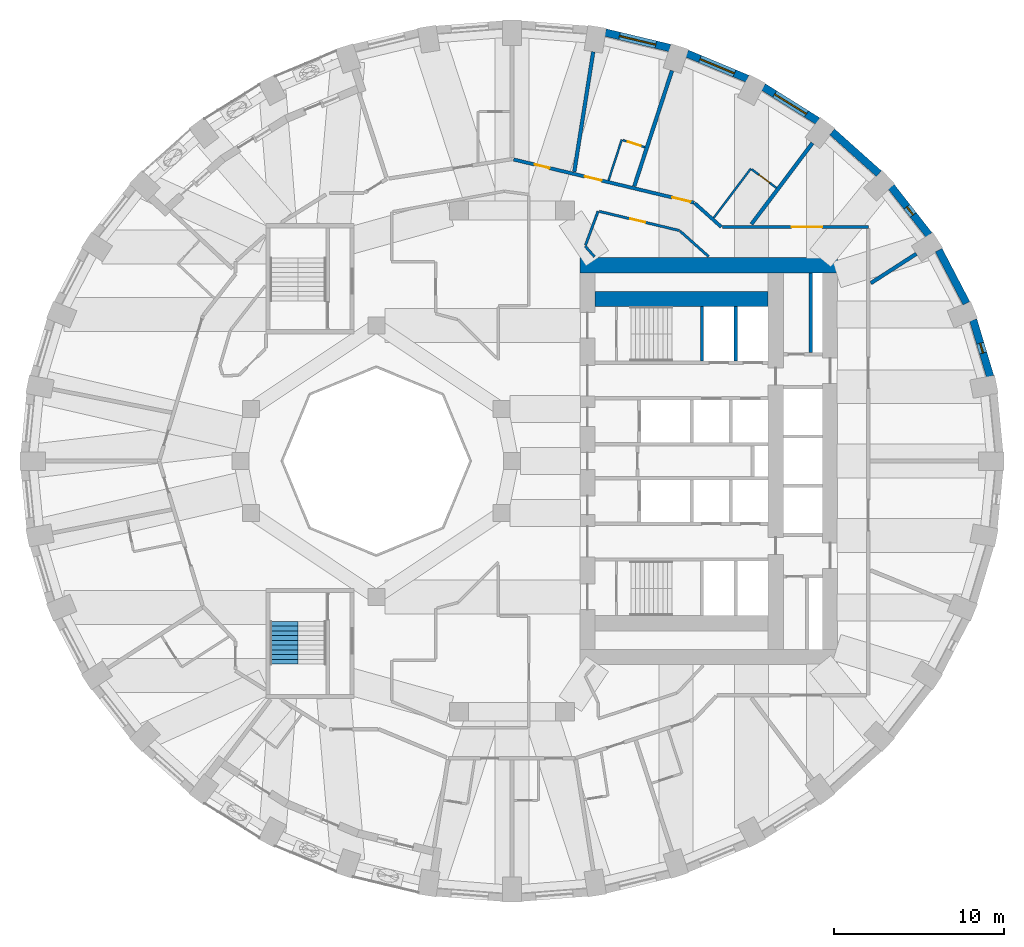
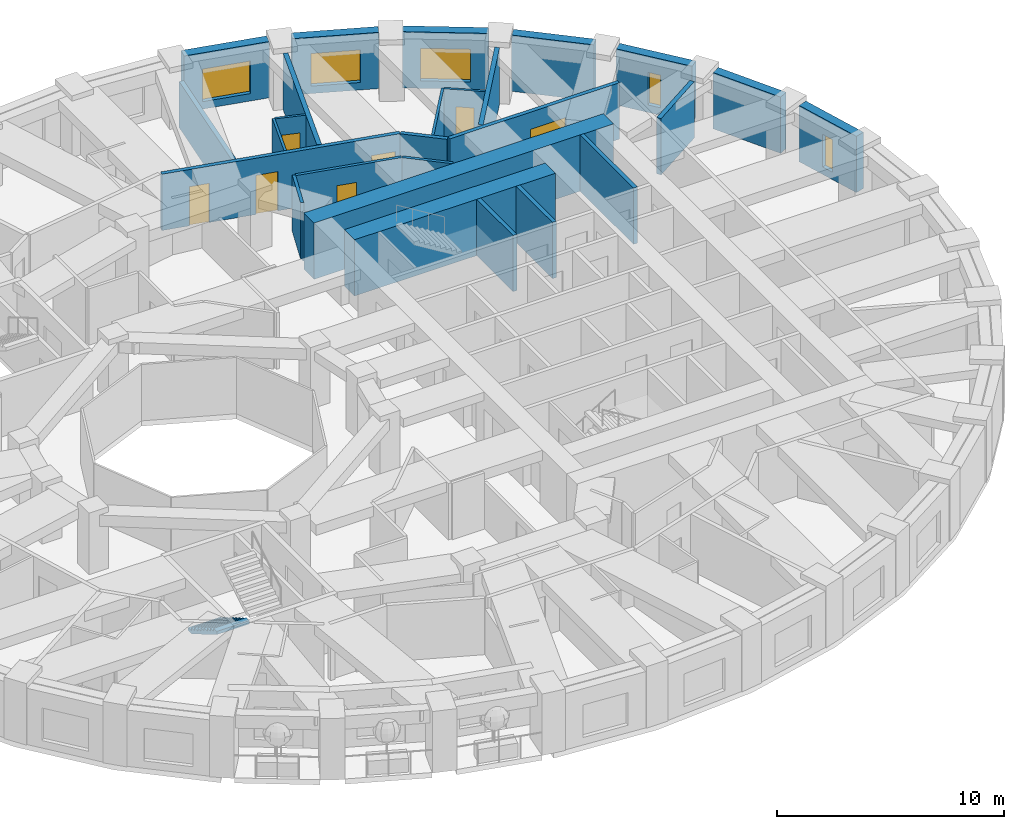
# One storey, part 9 of 13: 27 walls, 7 doors, 5 windows, 1 stair flight, 12 openings, 1 element without a shape of its own.
"""IFC4 building model written with IfcOpenShell, lengths in metres."""

import ifcopenshell
import ifcopenshell.guid

model = None  # the IFC model being written
_history = None  # IfcOwnerHistory: only IFC2X3 demands one
_inside = {}  # id of a spatial element -> (the spatial element, [elements in it])
_under = {}  # id of a project, library or spatial element -> (it, [spatial elements below it])
_declared = {}  # id of a project -> (the project, [libraries it declares])
_typed = {}  # id of a type object -> (the type object, [elements of that type])
_made_of = {}  # id of a material, layer set ... -> (it, [elements and type objects made of it])


def new_model(schema):
    """Start an empty IFC model of exactly this schema.

    Asked for "IFC4X3", IfcOpenShell would pick the latest addendum, in which some entities
    have other attributes; the version numbers below select the first issue.
    IFC2X3 requires an IfcOwnerHistory on every rooted entity: one is made here for all.
    """
    global model, _history
    if schema == "IFC4X3":
        model = ifcopenshell.file(schema_version=(4, 3, 0, 0))
    else:
        model = ifcopenshell.file(schema=schema)
    _inside.clear()
    _under.clear()
    _declared.clear()
    _typed.clear()
    _made_of.clear()
    _history = None
    if model.schema == "IFC2X3":
        org = make("IfcOrganization", Name="unknown")
        user = make(
            "IfcPersonAndOrganization",
            ThePerson=make("IfcPerson", FamilyName="unknown"),
            TheOrganization=org,
        )
        app = make(
            "IfcApplication",
            ApplicationDeveloper=org,
            Version="unknown",
            ApplicationFullName="unknown",
            ApplicationIdentifier="unknown",
        )
        _history = make(
            "IfcOwnerHistory",
            OwningUser=user,
            OwningApplication=app,
            ChangeAction="ADDED",
            CreationDate=0,
        )
    return model


def make(cls, **values):
    """One entity of the class cls with the attributes given. An attribute that is None is left unset."""
    return model.create_entity(
        cls, **{name: value for name, value in values.items() if value is not None}
    )


def rooted(cls, **values):
    """An entity with a GlobalId (a new one), such as an element, a storey or a relation."""
    return make(cls, GlobalId=ifcopenshell.guid.new(), OwnerHistory=_history, **values)


def si_unit(unit_type, name, prefix=None):
    """IfcSIUnit, for example si_unit("LENGTHUNIT", "METRE", prefix="MILLI")."""
    return make("IfcSIUnit", UnitType=unit_type, Prefix=prefix, Name=name)


def assignment(units):
    """IfcUnitAssignment: the units of a project."""
    return None if units is None else make("IfcUnitAssignment", Units=units)


def point(xyz):
    """IfcCartesianPoint."""
    return None if xyz is None else make("IfcCartesianPoint", Coordinates=xyz)


def direction(xyz):
    """IfcDirection."""
    return None if xyz is None else make("IfcDirection", DirectionRatios=xyz)


def frame(location, z_axis=None, x_axis=None):
    """IfcAxis2Placement3D, a coordinate frame: its origin and axes. An axis left out is left unset."""
    return make(
        "IfcAxis2Placement3D",
        Location=point(location),
        Axis=direction(z_axis),
        RefDirection=direction(x_axis),
    )


def frame_2d(location, x_axis=None):
    """IfcAxis2Placement2D, a coordinate frame in the plane: its origin and x axis."""
    return make(
        "IfcAxis2Placement2D", Location=point(location), RefDirection=direction(x_axis)
    )


def origin():
    """The frame at (0, 0, 0) with its axes left unset."""
    return frame((0.0, 0.0, 0.0))


def place(relative_to, where):
    """IfcLocalPlacement: puts the frame where relative to a parent placement (None: the world)."""
    return make(
        "IfcLocalPlacement", PlacementRelTo=relative_to, RelativePlacement=where
    )


def context(
    kind, dimensions, precision=None, world=None, true_north=None, identifier=None
):
    """IfcGeometricRepresentationContext, for example the 3D "Model" context."""
    return make(
        "IfcGeometricRepresentationContext",
        ContextIdentifier=identifier,
        ContextType=kind,
        CoordinateSpaceDimension=dimensions,
        Precision=precision,
        WorldCoordinateSystem=world,
        TrueNorth=true_north,
    )


def subcontext(parent, identifier, kind, view, scale=None):
    """IfcGeometricRepresentationSubContext, for example "Body" below "Model"."""
    return make(
        "IfcGeometricRepresentationSubContext",
        ContextIdentifier=identifier,
        ContextType=kind,
        ParentContext=parent,
        TargetScale=scale,
        TargetView=view,
    )


def project(units=None, contexts=None):
    """IfcProject with its units and contexts."""
    return rooted(
        "IfcProject",
        Name="project",
        RepresentationContexts=contexts,
        UnitsInContext=assignment(units),
    )


def spatial(cls, under=None, at=None, **own):
    """A site, building, storey or space (cls), placed at a placement, below another one or the project."""
    s = rooted(cls, ObjectPlacement=at, **own)
    if under is not None:
        _under.setdefault(under.id(), (under, []))[1].append(s)
    return s


def polyline(points):
    """IfcPolyline through the points."""
    return make("IfcPolyline", Points=[point(p) for p in points])


def profile(cls, at=None, kind="AREA", **sizes):
    """A parametric profile (cls). Its sizes go by their IFC names, for example OverallWidth=200.0."""
    return make(cls, ProfileType=kind, Position=at, **sizes)


def rectangle(**sizes):
    """IfcRectangleProfileDef."""
    return profile("IfcRectangleProfileDef", **sizes)


def outline(outer, holes=None, kind="AREA"):
    """IfcArbitraryClosedProfileDef: a profile drawn as a closed curve; with holes, ...WithVoids."""
    if holes is None:
        return make("IfcArbitraryClosedProfileDef", ProfileType=kind, OuterCurve=outer)
    return make(
        "IfcArbitraryProfileDefWithVoids",
        ProfileType=kind,
        OuterCurve=outer,
        InnerCurves=holes,
    )


def extrude(swept, where, along, depth):
    """IfcExtrudedAreaSolid: the profile swept, set in the frame where, extruded along a direction by depth."""
    return make(
        "IfcExtrudedAreaSolid",
        SweptArea=swept,
        Position=where,
        ExtrudedDirection=direction(along),
        Depth=depth,
    )


def shape(context_of_items, identifier, shape_type, items):
    """IfcShapeRepresentation: the items that make up one representation, for example the "Body"."""
    return make(
        "IfcShapeRepresentation",
        ContextOfItems=context_of_items,
        RepresentationIdentifier=identifier,
        RepresentationType=shape_type,
        Items=items,
    )


def material(Name=None, Category=None):
    """IfcMaterial."""
    return make("IfcMaterial", Name=Name, Category=Category)


def layer(
    of_material, thickness, ventilated=None, Name=None, Category=None, Priority=None
):
    """IfcMaterialLayer: one layer of a wall or slab, of a material (None: an air gap)."""
    return make(
        "IfcMaterialLayer",
        Material=of_material,
        LayerThickness=thickness,
        IsVentilated=ventilated,
        Name=Name,
        Category=Category,
        Priority=Priority,
    )


def layer_set(layers, Name=None):
    """IfcMaterialLayerSet."""
    return make("IfcMaterialLayerSet", MaterialLayers=layers, LayerSetName=Name)


def made_of(thing, what):
    """Note that an element or type object is made of a material, layer set ...; save() writes the relation."""
    if what is not None:
        _made_of.setdefault(what.id(), (what, []))[1].append(thing)
    return thing


def type_object(cls, material=None, **own):
    """A type object (cls), such as IfcWallType, which elements share."""
    return made_of(rooted(cls, **own), material)


def element(
    cls,
    number,
    at=None,
    inside=None,
    cuts=None,
    type_object=None,
    material=None,
    context=None,
    identifier="Body",
    shape_type=None,
    held_by="IfcProductDefinitionShape",
    body=None,
    shapes=None,
    **own,
):
    """One element of the class cls, such as IfcWall. Its Tag is "e" and its number.

    at: its placement. inside: the storey or other place that contains it. cuts: it is an
    opening in that element (IfcRelVoidsElement). A single representation is given by context,
    identifier, shape_type and body (its items); several are given by shapes. held_by: the class
    of the entity that holds the representations. save() writes the other relations.
    """
    e = rooted(cls, Tag="e%d" % number, ObjectPlacement=at, **own)
    if body is not None:
        shapes = [shape(context, identifier, shape_type, body)]
    if shapes is not None:
        e.Representation = make(held_by, Representations=shapes)
    if inside is not None:
        _inside.setdefault(inside.id(), (inside, []))[1].append(e)
    if cuts is not None:
        rooted(
            "IfcRelVoidsElement", RelatingBuildingElement=cuts, RelatedOpeningElement=e
        )
    if type_object is not None:
        _typed.setdefault(type_object.id(), (type_object, []))[1].append(e)
    return made_of(e, material)


def fill(opening, filler):
    """IfcRelFillsElement: the door or window that sits in an opening."""
    return rooted(
        "IfcRelFillsElement",
        RelatingOpeningElement=opening,
        RelatedBuildingElement=filler,
    )


def aggregate(whole, parts):
    """IfcRelAggregates: a whole, such as a stair, and the parts it consists of."""
    return rooted("IfcRelAggregates", RelatingObject=whole, RelatedObjects=parts)


def save(model, path):
    """Write the relations noted so far, then the file.

    IfcRelAggregates (storeys below a building ...), IfcRelContainedInSpatialStructure (elements
    in a storey), IfcRelDefinesByType, IfcRelAssociatesMaterial and IfcRelDeclares: one each for
    every whole, place, type object, material and project.
    """
    for whole, parts in _under.values():
        aggregate(whole, parts)
    for where, things in _inside.values():
        rooted(
            "IfcRelContainedInSpatialStructure",
            RelatedElements=things,
            RelatingStructure=where,
        )
    for kind, things in _typed.values():
        rooted("IfcRelDefinesByType", RelatedObjects=things, RelatingType=kind)
    for what, things in _made_of.values():
        rooted("IfcRelAssociatesMaterial", RelatedObjects=things, RelatingMaterial=what)
    for by, libraries in _declared.values():
        rooted("IfcRelDeclares", RelatingContext=by, RelatedDefinitions=libraries)
    model.write(path)


model = new_model("IFC4")

# Units and contexts
model_context = context("Model", 3, precision=1e-05, world=origin(), true_north=direction((0.0, 1.0)))
body_context = subcontext(model_context, "Body", "Model", "MODEL_VIEW")
ifc_project = project(units=[si_unit("LENGTHUNIT", "METRE"), si_unit("AREAUNIT", "SQUARE_METRE"), si_unit("VOLUMEUNIT", "CUBIC_METRE"), si_unit("PLANEANGLEUNIT", "RADIAN"), si_unit("MASSUNIT", "GRAM", prefix="KILO")], contexts=[model_context])

# Site, building, storey
site_placement = place(None, origin())
site = spatial("IfcSite", under=ifc_project, at=site_placement, CompositionType="ELEMENT")
building_placement = place(site_placement, origin())
building = spatial("IfcBuilding", under=site, at=building_placement, Name="Taillehof Tower", CompositionType="ELEMENT")
storey_placement = place(building_placement, frame((0.0, 0.0, 44.800048828125)))
storey = spatial("IfcBuildingStorey", under=building, at=storey_placement, Name="L11", CompositionType="ELEMENT", Elevation=44.800048828125)

# Wall, opening, window
ifc_material_1 = material(Name="Brick masonry", Category="masonry")
ifc_layer_1 = layer(ifc_material_1, 0.449951171875)
ifc_layer_set_1 = layer_set([ifc_layer_1], Name="Brick infill wall 450")
wall_type_1 = type_object("IfcWallType", Name="Brick infill wall 450", PredefinedType="SOLIDWALL", material=ifc_layer_set_1)
wall_1_placement = place(storey_placement, frame((28.181884765625, 4.995849609375, 0.0), z_axis=(0.0, 0.0, 1.0), x_axis=(-0.287064133733, 0.957911364963, 0.0)))
wall_1 = element("IfcWall", 1, at=wall_1_placement, inside=storey, type_object=wall_type_1, Name="Brick wall L11 bay 2", PredefinedType="SOLIDWALL", context=body_context, shape_type="SweptSolid", body=[
    extrude(rectangle(XDim=3.473388671875, YDim=0.449951171875, at=frame_2d((1.73681640625, 0.0))), origin(), (0.0, 0.0, 1.0), 3.02001953125),
])
opening_1_placement = place(wall_1_placement, frame((1.436767578125, 0.0, 0.39990234375)))
opening_1 = element("IfcOpeningElement", 2, at=opening_1_placement, cuts=wall_1, Name="Opening W6", PredefinedType="OPENING", context=body_context, shape_type="SweptSolid", body=[
    extrude(rectangle(XDim=0.60009765625, YDim=1.75, at=frame_2d((0.300048828125, 0.875))), frame((0.0, 0.23486328125, 0.0), z_axis=(0.0, -1.0, 0.0), x_axis=(1.0, 0.0, 0.0)), (0.0, 0.0, 1.0), 0.469970703125),
])
ifc_material_2 = material(Name="Aluminium window frame with clear double glazing", Category="aluminium")
window_type_1 = type_object("IfcWindowType", Name="Slot window 600x1750", PartitioningType="SINGLE_PANEL", PredefinedType="WINDOW", material=ifc_material_2)
window_1_placement = place(opening_1_placement, origin())
window_1 = element("IfcWindow", 3, at=window_1_placement, inside=storey, type_object=window_type_1, Name="W6", OverallHeight=1.75, OverallWidth=0.60009765625, PartitioningType="SINGLE_PANEL", PredefinedType="WINDOW", context=body_context, shape_type="SweptSolid", body=[
    extrude(rectangle(XDim=0.60009765625, YDim=1.75, at=frame_2d((0.300048828125, 0.875))), frame((0.0, 0.034912109375, 0.0), z_axis=(0.0, -1.0, 0.0), x_axis=(1.0, 0.0, 0.0)), (0.0, 0.0, 1.0), 0.06005859375),
])
fill(opening_1, window_1)

# Wall
wall_2_placement = place(storey_placement, frame((26.78564453125, 9.30517578125, 0.0), z_axis=(0.0, 0.0, 1.0), x_axis=(-0.462492775226, 0.886623050041, 0.0)))
element("IfcWall", 4, at=wall_2_placement, inside=storey, type_object=wall_type_1, Name="Brick wall L11 bay 3", PredefinedType="SOLIDWALL", context=body_context, shape_type="SweptSolid", body=[
    extrude(rectangle(XDim=3.531982421875, YDim=0.449951171875, at=frame_2d((1.76611328125, 0.0))), origin(), (0.0, 0.0, 1.0), 3.02001953125),
])

# Wall, opening, window
wall_3_placement = place(storey_placement, frame((24.57763671875, 13.327880859375, 0.0), z_axis=(0.0, 0.0, 1.0), x_axis=(-0.616661975264, 0.787228053529, 0.0)))
wall_3 = element("IfcWall", 5, at=wall_3_placement, inside=storey, type_object=wall_type_1, Name="Brick wall L11 bay 4", PredefinedType="SOLIDWALL", context=body_context, shape_type="SweptSolid", body=[
    extrude(rectangle(XDim=3.60986328125, YDim=0.449951171875, at=frame_2d((1.804931640625, 0.0))), origin(), (0.0, 0.0, 1.0), 3.02001953125),
])
opening_2_placement = place(wall_3_placement, frame((1.5048828125, 0.0, 0.39990234375)))
opening_2 = element("IfcOpeningElement", 6, at=opening_2_placement, cuts=wall_3, Name="Opening W6", PredefinedType="OPENING", context=body_context, shape_type="SweptSolid", body=[
    extrude(rectangle(XDim=0.60009765625, YDim=1.75, at=frame_2d((0.300048828125, 0.875))), frame((0.0, 0.23486328125, 0.0), z_axis=(0.0, -1.0, 0.0), x_axis=(1.0, 0.0, 0.0)), (0.0, 0.0, 1.0), 0.469970703125),
])
window_2_placement = place(opening_2_placement, origin())
window_2 = element("IfcWindow", 7, at=window_2_placement, inside=storey, type_object=window_type_1, Name="W6", OverallHeight=1.75, OverallWidth=0.60009765625, PartitioningType="SINGLE_PANEL", PredefinedType="WINDOW", context=body_context, shape_type="SweptSolid", body=[
    extrude(rectangle(XDim=0.60009765625, YDim=1.75, at=frame_2d((0.300048828125, 0.875))), frame((0.0, 0.034912109375, 0.0), z_axis=(0.0, -1.0, 0.0), x_axis=(1.0, 0.0, 0.0)), (0.0, 0.0, 1.0), 0.06005859375),
])
fill(opening_2, window_2)

# Wall
wall_4_placement = place(storey_placement, frame((21.626708984375, 16.943115234375, 0.0), z_axis=(0.0, 0.0, 1.0), x_axis=(-0.745526233716, 0.66647628228, 0.0)))
element("IfcWall", 8, at=wall_4_placement, inside=storey, type_object=wall_type_1, Name="Brick wall L11 bay 5", PredefinedType="SOLIDWALL", context=body_context, shape_type="SweptSolid", body=[
    extrude(rectangle(XDim=3.69677734375, YDim=0.449951171875, at=frame_2d((1.848388671875, 0.0))), origin(), (0.0, 0.0, 1.0), 3.02001953125),
])

# Wall, opening, window
wall_5_placement = place(storey_placement, frame((18.02294921875, 20.043701171875, 0.0), z_axis=(0.0, 0.0, 1.0), x_axis=(-0.847635480093, 0.530579016629, 0.0)))
wall_5 = element("IfcWall", 9, at=wall_5_placement, inside=storey, type_object=wall_type_1, Name="Brick wall L11 bay 6", PredefinedType="SOLIDWALL", context=body_context, shape_type="SweptSolid", body=[
    extrude(rectangle(XDim=3.782470703125, YDim=0.449951171875, at=frame_2d((1.89111328125, 0.0))), origin(), (0.0, 0.0, 1.0), 3.02001953125),
])
opening_3_placement = place(wall_5_placement, frame((0.791259765625, 0.0, 0.39990234375)))
opening_3 = element("IfcOpeningElement", 10, at=opening_3_placement, cuts=wall_5, Name="Opening W1", PredefinedType="OPENING", context=body_context, shape_type="SweptSolid", body=[
    extrude(rectangle(XDim=2.199951171875, YDim=1.75, at=frame_2d((1.10009765625, 0.875))), frame((0.0, 0.23486328125, 0.0), z_axis=(0.0, -1.0, 0.0), x_axis=(1.0, 0.0, 0.0)), (0.0, 0.0, 1.0), 0.469970703125),
])
ifc_material_3 = material(Name="Aluminium window frame with clear double glazing", Category="aluminium")
window_type_2 = type_object("IfcWindowType", Name="Deep-set window 2200x1750", PartitioningType="SINGLE_PANEL", PredefinedType="WINDOW", material=ifc_material_3)
window_3_placement = place(opening_3_placement, origin())
window_3 = element("IfcWindow", 11, at=window_3_placement, inside=storey, type_object=window_type_2, Name="W1", OverallHeight=1.75, OverallWidth=2.199951171875, PartitioningType="SINGLE_PANEL", PredefinedType="WINDOW", context=body_context, shape_type="SweptSolid", body=[
    extrude(rectangle(XDim=2.199951171875, YDim=1.75, at=frame_2d((1.10009765625, 0.875))), frame((0.0, 0.034912109375, 0.0), z_axis=(0.0, -1.0, 0.0), x_axis=(1.0, 0.0, 0.0)), (0.0, 0.0, 1.0), 0.06005859375),
])
fill(opening_3, window_3)

wall_6_placement = place(storey_placement, frame((13.875, 22.537353515625, 0.0), z_axis=(0.0, 0.0, 1.0), x_axis=(-0.923031964282, 0.384723267966, 0.0)))
wall_6 = element("IfcWall", 12, at=wall_6_placement, inside=storey, type_object=wall_type_1, Name="Brick wall L11 bay 7", PredefinedType="SOLIDWALL", context=body_context, shape_type="SweptSolid", body=[
    extrude(rectangle(XDim=3.8564453125, YDim=0.449951171875, at=frame_2d((1.92822265625, 0.0))), origin(), (0.0, 0.0, 1.0), 3.02001953125),
])
opening_4_placement = place(wall_6_placement, frame((0.828125, 0.0, 0.39990234375)))
opening_4 = element("IfcOpeningElement", 13, at=opening_4_placement, cuts=wall_6, Name="Opening W1", PredefinedType="OPENING", context=body_context, shape_type="SweptSolid", body=[
    extrude(rectangle(XDim=2.199951171875, YDim=1.75, at=frame_2d((1.10009765625, 0.875))), frame((0.0, 0.23486328125, 0.0), z_axis=(0.0, -1.0, 0.0), x_axis=(1.0, 0.0, 0.0)), (0.0, 0.0, 1.0), 0.469970703125),
])
window_4_placement = place(opening_4_placement, origin())
window_4 = element("IfcWindow", 14, at=window_4_placement, inside=storey, type_object=window_type_2, Name="W1", OverallHeight=1.75, OverallWidth=2.199951171875, PartitioningType="SINGLE_PANEL", PredefinedType="WINDOW", context=body_context, shape_type="SweptSolid", body=[
    extrude(rectangle(XDim=2.199951171875, YDim=1.75, at=frame_2d((1.10009765625, 0.875))), frame((0.0, 0.034912109375, 0.0), z_axis=(0.0, -1.0, 0.0), x_axis=(1.0, 0.0, 0.0)), (0.0, 0.0, 1.0), 0.06005859375),
])
fill(opening_4, window_4)

wall_7_placement = place(storey_placement, frame((9.3076171875, 24.349609375, 0.0), z_axis=(0.0, 0.0, 1.0), x_axis=(-0.972496561493, 0.232917233979, 0.0)))
wall_7 = element("IfcWall", 15, at=wall_7_placement, inside=storey, type_object=wall_type_1, Name="Brick wall L11 bay 8", PredefinedType="SOLIDWALL", context=body_context, shape_type="SweptSolid", body=[
    extrude(rectangle(XDim=3.910888671875, YDim=0.449951171875, at=frame_2d((1.95556640625, 0.0))), origin(), (0.0, 0.0, 1.0), 3.02001953125),
])
opening_5_placement = place(wall_7_placement, frame((0.855224609375, 0.0, 0.39990234375)))
opening_5 = element("IfcOpeningElement", 16, at=opening_5_placement, cuts=wall_7, Name="Opening W1", PredefinedType="OPENING", context=body_context, shape_type="SweptSolid", body=[
    extrude(rectangle(XDim=2.199951171875, YDim=1.75, at=frame_2d((1.10009765625, 0.875))), frame((0.0, 0.23486328125, 0.0), z_axis=(0.0, -1.0, 0.0), x_axis=(1.0, 0.0, 0.0)), (0.0, 0.0, 1.0), 0.469970703125),
])
window_5_placement = place(opening_5_placement, origin())
window_5 = element("IfcWindow", 17, at=window_5_placement, inside=storey, type_object=window_type_2, Name="W1", OverallHeight=1.75, OverallWidth=2.199951171875, PartitioningType="SINGLE_PANEL", PredefinedType="WINDOW", context=body_context, shape_type="SweptSolid", body=[
    extrude(rectangle(XDim=2.199951171875, YDim=1.75, at=frame_2d((1.10009765625, 0.875))), frame((0.0, 0.034912109375, 0.0), z_axis=(0.0, -1.0, 0.0), x_axis=(1.0, 0.0, 0.0)), (0.0, 0.0, 1.0), 0.06005859375),
])
fill(opening_5, window_5)

# Wall
ifc_material_4 = material(Name="Calcium silicate masonry", Category="masonry")
ifc_layer_2 = layer(ifc_material_4, 0.199951171875)
ifc_layer_set_2 = layer_set([ifc_layer_2], Name="Compartment wall calcium silicate 200")
wall_type_2 = type_object("IfcWallType", Name="Compartment wall calcium silicate 200", PredefinedType="PARTITIONING", material=ifc_layer_set_2)
wall_8_placement = place(storey_placement, frame((17.60009765625, 6.39990234375, 0.0), z_axis=(0.0, 0.0, 1.0), x_axis=(0.0, 1.0, 0.0)))
element("IfcWall", 18, at=wall_8_placement, inside=storey, type_object=wall_type_2, Name="Compartment wall FW", PredefinedType="PARTITIONING", context=body_context, shape_type="SweptSolid", body=[
    extrude(rectangle(XDim=4.7001953125, YDim=0.199951171875, at=frame_2d((2.35009765625, 0.0))), origin(), (0.0, 0.0, 1.0), 3.02001953125),
])

# Wall, openings, doors
ifc_material_5 = material(Name="Gypsum board on steel studs, two layers each side", Category="steel")
ifc_layer_3 = layer(ifc_material_5, 0.199951171875)
ifc_layer_set_3 = layer_set([ifc_layer_3], Name="Compartment wall corridor 200")
wall_type_3 = type_object("IfcWallType", Name="Compartment wall corridor 200", PredefinedType="PARTITIONING", material=ifc_layer_set_3)
wall_9_placement = place(storey_placement, frame((0.09765625, 17.77685546875, 0.0), z_axis=(0.0, 0.0, 1.0), x_axis=(0.97258196627, -0.232560355362, 0.0)))
wall_9 = element("IfcWall", 19, at=wall_9_placement, inside=storey, type_object=wall_type_3, Name="Compartment wall", PredefinedType="PARTITIONING", context=body_context, shape_type="SweptSolid", body=[
    extrude(rectangle(XDim=10.9326171875, YDim=0.199951171875, at=frame_2d((5.46630859375, 0.0))), origin(), (0.0, 0.0, 1.0), 3.02001953125),
])
opening_6_placement = place(wall_9_placement, frame((9.612548828125, 0.0, 0.0)))
opening_6 = element("IfcOpeningElement", 20, at=opening_6_placement, cuts=wall_9, Name="Opening D1140", PredefinedType="OPENING", context=body_context, shape_type="SweptSolid", body=[
    extrude(rectangle(XDim=1.10009765625, YDim=2.10009765625, at=frame_2d((0.550048828125, 1.050048828125))), frame((0.0, 0.10986328125, 0.0), z_axis=(0.0, -1.0, 0.0), x_axis=(1.0, 0.0, 0.0)), (0.0, 0.0, 1.0), 0.219970703125),
])
opening_7_placement = place(wall_9_placement, frame((4.32470703125, 0.0, 0.0)))
opening_7 = element("IfcOpeningElement", 21, at=opening_7_placement, cuts=wall_9, Name="Opening D1142", PredefinedType="OPENING", context=body_context, shape_type="SweptSolid", body=[
    extrude(rectangle(XDim=1.0, YDim=2.10009765625, at=frame_2d((0.5, 1.050048828125))), frame((0.0, 0.10986328125, 0.0), z_axis=(0.0, -1.0, 0.0), x_axis=(1.0, 0.0, 0.0)), (0.0, 0.0, 1.0), 0.219970703125),
])
opening_8_placement = place(wall_9_placement, frame((1.27587890625, 0.0, 0.0)))
opening_8 = element("IfcOpeningElement", 22, at=opening_8_placement, cuts=wall_9, Name="Opening D1144", PredefinedType="OPENING", context=body_context, shape_type="SweptSolid", body=[
    extrude(rectangle(XDim=0.89990234375, YDim=2.10009765625, at=frame_2d((0.449951171875, 1.050048828125))), frame((0.0, 0.10986328125, 0.0), z_axis=(0.0, -1.0, 0.0), x_axis=(1.0, 0.0, 0.0)), (0.0, 0.0, 1.0), 0.219970703125),
])
ifc_material_6 = material(Name="Timber door leaf in steel frame", Category="steel")
door_type_1 = type_object("IfcDoorType", Name="Guest room door EI 30 1000 x 2100", OperationType="SINGLE_SWING_LEFT", PredefinedType="DOOR", material=ifc_material_6)
door_1_placement = place(opening_7_placement, origin())
door_1 = element("IfcDoor", 23, at=door_1_placement, inside=storey, type_object=door_type_1, Name="D1142", OperationType="SINGLE_SWING_RIGHT", OverallHeight=2.10009765625, OverallWidth=1.0, PredefinedType="DOOR", context=body_context, shape_type="SweptSolid", body=[
    extrude(rectangle(XDim=1.0, YDim=2.10009765625, at=frame_2d((0.5, 1.050048828125))), frame((0.0, 0.02490234375, 0.0), z_axis=(0.0, -1.0, 0.0), x_axis=(1.0, 0.0, 0.0)), (0.0, 0.0, 1.0), 0.050048828125),
])
fill(opening_7, door_1)
ifc_material_7 = material(Name="Timber door leaf in steel frame", Category="steel")
door_type_2 = type_object("IfcDoorType", Name="Service room door EI 30 900 x 2100", OperationType="SINGLE_SWING_LEFT", PredefinedType="DOOR", material=ifc_material_7)
door_2_placement = place(opening_8_placement, origin())
door_2 = element("IfcDoor", 24, at=door_2_placement, inside=storey, type_object=door_type_2, Name="D1144", OperationType="SINGLE_SWING_LEFT", OverallHeight=2.10009765625, OverallWidth=0.89990234375, PredefinedType="DOOR", context=body_context, shape_type="SweptSolid", body=[
    extrude(rectangle(XDim=0.89990234375, YDim=2.10009765625, at=frame_2d((0.449951171875, 1.050048828125))), frame((0.0, 0.02490234375, 0.0), z_axis=(0.0, -1.0, 0.0), x_axis=(1.0, 0.0, 0.0)), (0.0, 0.0, 1.0), 0.050048828125),
])
fill(opening_8, door_2)
ifc_material_8 = material(Name="Timber door leaf in steel frame", Category="steel")
door_type_3 = type_object("IfcDoorType", Name="Suite entrance door EI 30 1100 x 2100", OperationType="SINGLE_SWING_LEFT", PredefinedType="DOOR", material=ifc_material_8)
door_3_placement = place(opening_6_placement, origin())
door_3 = element("IfcDoor", 25, at=door_3_placement, inside=storey, type_object=door_type_3, Name="D1140", OperationType="SINGLE_SWING_LEFT", OverallHeight=2.10009765625, OverallWidth=1.10009765625, PredefinedType="DOOR", context=body_context, shape_type="SweptSolid", body=[
    extrude(rectangle(XDim=1.10009765625, YDim=2.10009765625, at=frame_2d((0.550048828125, 1.050048828125))), frame((0.0, 0.02490234375, 0.0), z_axis=(0.0, -1.0, 0.0), x_axis=(1.0, 0.0, 0.0)), (0.0, 0.0, 1.0), 0.050048828125),
])
fill(opening_6, door_3)

# Wall
wall_10_placement = place(storey_placement, frame((10.76025390625, 15.2080078125, 0.0), z_axis=(0.0, 0.0, 1.0), x_axis=(0.746600460158, -0.665272690626, 0.0)))
element("IfcWall", 26, at=wall_10_placement, inside=storey, type_object=wall_type_3, Name="Compartment wall", PredefinedType="PARTITIONING", context=body_context, shape_type="SweptSolid", body=[
    extrude(rectangle(XDim=2.116455078125, YDim=0.199951171875, at=frame_2d((1.05810546875, 0.0))), origin(), (0.0, 0.0, 1.0), 3.02001953125),
])

# Wall, opening, door
wall_11_placement = place(storey_placement, frame((12.400390625, 13.800048828125, 0.0), z_axis=(0.0, 0.0, 1.0), x_axis=(1.0, 0.0, 0.0)))
wall_11 = element("IfcWall", 27, at=wall_11_placement, inside=storey, type_object=wall_type_3, Name="Compartment wall", PredefinedType="PARTITIONING", context=body_context, shape_type="SweptSolid", body=[
    extrude(rectangle(XDim=8.599609375, YDim=0.199951171875, at=frame_2d((4.2998046875, 0.0))), origin(), (0.0, 0.0, 1.0), 3.02001953125),
])
opening_9_placement = place(wall_11_placement, frame((4.083984375, 0.0, 0.0)))
opening_9 = element("IfcOpeningElement", 28, at=opening_9_placement, cuts=wall_11, Name="Opening D1169", PredefinedType="OPENING", context=body_context, shape_type="SweptSolid", body=[
    extrude(rectangle(XDim=1.800048828125, YDim=2.10009765625, at=frame_2d((0.89990234375, 1.050048828125))), frame((0.0, 0.10986328125, 0.0), z_axis=(0.0, -1.0, 0.0), x_axis=(1.0, 0.0, 0.0)), (0.0, 0.0, 1.0), 0.219970703125),
])
ifc_material_9 = material(Name="Timber door leaf in steel frame", Category="steel")
door_type_4 = type_object("IfcDoorType", Name="Lounge and meeting room double door EI 30 1800 x 2100", OperationType="SINGLE_SWING_LEFT", PredefinedType="DOOR", material=ifc_material_9)
door_4_placement = place(opening_9_placement, origin())
door_4 = element("IfcDoor", 29, at=door_4_placement, inside=storey, type_object=door_type_4, Name="D1169", OperationType="DOUBLE_DOOR_SINGLE_SWING", OverallHeight=2.10009765625, OverallWidth=1.800048828125, PredefinedType="DOOR", context=body_context, shape_type="SweptSolid", body=[
    extrude(rectangle(XDim=1.800048828125, YDim=2.10009765625, at=frame_2d((0.89990234375, 1.050048828125))), frame((0.0, 0.02490234375, 0.0), z_axis=(0.0, -1.0, 0.0), x_axis=(1.0, 0.0, 0.0)), (0.0, 0.0, 1.0), 0.050048828125),
])
fill(opening_9, door_4)

# Walls
ifc_material_10 = material(Name="Gypsum board on double steel studs with mineral wool", Category="steel")
ifc_layer_4 = layer(ifc_material_10, 0.219970703125)
ifc_layer_set_4 = layer_set([ifc_layer_4], Name="Compartment wall guest room 220")
wall_type_4 = type_object("IfcWallType", Name="Compartment wall guest room 220", PredefinedType="PARTITIONING", material=ifc_layer_set_4)
wall_12_placement = place(storey_placement, frame((23.834716796875, 12.218994140625, 0.0), z_axis=(0.0, 0.0, 1.0), x_axis=(-0.840711059677, -0.541483992503, 0.0)))
element("IfcWall", 30, at=wall_12_placement, inside=storey, type_object=wall_type_4, Name="Compartment wall", PredefinedType="PARTITIONING", context=body_context, shape_type="SweptSolid", body=[
    extrude(rectangle(XDim=3.192626953125, YDim=0.219970703125, at=frame_2d((1.59619140625, 0.0))), origin(), (0.0, 0.0, 1.0), 3.02001953125),
])
wall_13_placement = place(storey_placement, frame((17.707763671875, 18.7431640625, 0.0), z_axis=(0.0, 0.0, 1.0), x_axis=(-0.601181461694, -0.799112539081, 0.0)))
element("IfcWall", 31, at=wall_13_placement, inside=storey, type_object=wall_type_4, Name="Compartment wall", PredefinedType="PARTITIONING", context=body_context, shape_type="SweptSolid", body=[
    extrude(rectangle(XDim=5.98095703125, YDim=0.219970703125, at=frame_2d((2.990478515625, 0.0))), origin(), (0.0, 0.0, 1.0), 3.02001953125),
])
wall_14_placement = place(storey_placement, frame((9.429443359375, 23.01416015625, 0.0), z_axis=(0.0, 0.0, 1.0), x_axis=(-0.310212691368, -0.950667179466, 0.0)))
element("IfcWall", 32, at=wall_14_placement, inside=storey, type_object=wall_type_4, Name="Compartment wall", PredefinedType="PARTITIONING", context=body_context, shape_type="SweptSolid", body=[
    extrude(rectangle(XDim=7.167236328125, YDim=0.219970703125, at=frame_2d((3.58349609375, 0.0))), origin(), (0.0, 0.0, 1.0), 3.02001953125),
])
wall_15_placement = place(storey_placement, frame((4.788330078125, 24.12548828125, 0.0), z_axis=(0.0, 0.0, 1.0), x_axis=(-0.156146236489, -0.987733948404, 0.0)))
element("IfcWall", 33, at=wall_15_placement, inside=storey, type_object=wall_type_4, Name="Compartment wall", PredefinedType="PARTITIONING", context=body_context, shape_type="SweptSolid", body=[
    extrude(rectangle(XDim=7.167236328125, YDim=0.219970703125, at=frame_2d((3.58349609375, 0.0))), origin(), (0.0, 0.0, 1.0), 2.469970703125),
])
ifc_material_11 = material(Name="Gypsum board on steel studs, two layers each side", Category="steel")
ifc_layer_5 = layer(ifc_material_11, 0.14990234375)
ifc_layer_set_5 = layer_set([ifc_layer_5], Name="Compartment wall service room 150")
wall_type_5 = type_object("IfcWallType", Name="Compartment wall service room 150", PredefinedType="PARTITIONING", material=ifc_layer_set_5)
wall_16_placement = place(storey_placement, frame((4.864501953125, 12.04150390625, 0.0), z_axis=(0.0, 0.0, 1.0), x_axis=(-0.660014599896, 0.751252772323, 0.0)))
element("IfcWall", 34, at=wall_16_placement, inside=storey, type_object=wall_type_5, Name="Compartment wall", PredefinedType="PARTITIONING", context=body_context, shape_type="SweptSolid", body=[
    extrude(rectangle(XDim=0.8349609375, YDim=0.14990234375, at=frame_2d((0.41748046875, 0.0))), origin(), (0.0, 0.0, 1.0), 2.570068359375),
])
wall_17_placement = place(storey_placement, frame((4.333984375, 12.72509765625, 0.0), z_axis=(0.0, 0.0, 1.0), x_axis=(0.346111853175, 0.938193255727, 0.0)))
element("IfcWall", 35, at=wall_17_placement, inside=storey, type_object=wall_type_5, Name="Compartment wall", PredefinedType="PARTITIONING", context=body_context, shape_type="SweptSolid", body=[
    extrude(rectangle(XDim=2.14306640625, YDim=0.14990234375, at=frame_2d((1.071533203125, 0.0))), origin(), (0.0, 0.0, 1.0), 3.02001953125),
])

# Wall, opening, door
wall_18_placement = place(storey_placement, frame((5.15380859375, 14.717041015625, 0.0), z_axis=(0.0, 0.0, 1.0), x_axis=(0.972587058657, -0.232539057651, 0.0)))
wall_18 = element("IfcWall", 36, at=wall_18_placement, inside=storey, type_object=wall_type_5, Name="Compartment wall", PredefinedType="PARTITIONING", context=body_context, shape_type="SweptSolid", body=[
    extrude(rectangle(XDim=4.8505859375, YDim=0.14990234375, at=frame_2d((2.42529296875, 0.0))), origin(), (0.0, 0.0, 1.0), 3.02001953125),
])
opening_10_placement = place(wall_18_placement, frame((1.8720703125, 0.0, 0.0)))
opening_10 = element("IfcOpeningElement", 37, at=opening_10_placement, cuts=wall_18, Name="Opening D1171", PredefinedType="OPENING", context=body_context, shape_type="SweptSolid", body=[
    extrude(rectangle(XDim=0.89990234375, YDim=2.10009765625, at=frame_2d((0.449951171875, 1.050048828125))), frame((0.0, 0.0849609375, 0.0), z_axis=(0.0, -1.0, 0.0), x_axis=(1.0, 0.0, 0.0)), (0.0, 0.0, 1.0), 0.169921875),
])
door_5_placement = place(opening_10_placement, origin())
door_5 = element("IfcDoor", 38, at=door_5_placement, inside=storey, type_object=door_type_2, Name="D1171", OperationType="SINGLE_SWING_RIGHT", OverallHeight=2.10009765625, OverallWidth=0.89990234375, PredefinedType="DOOR", context=body_context, shape_type="SweptSolid", body=[
    extrude(rectangle(XDim=0.89990234375, YDim=2.10009765625, at=frame_2d((0.449951171875, 1.050048828125))), frame((0.0, 0.02490234375, 0.0), z_axis=(0.0, -1.0, 0.0), x_axis=(1.0, 0.0, 0.0)), (0.0, 0.0, 1.0), 0.050048828125),
])
fill(opening_10, door_5)

# Walls
wall_19_placement = place(storey_placement, frame((9.901123046875, 13.562255859375, 0.0), z_axis=(0.0, 0.0, 1.0), x_axis=(0.746696753395, -0.665164610054, 0.0)))
element("IfcWall", 39, at=wall_19_placement, inside=storey, type_object=wall_type_5, Name="Compartment wall", PredefinedType="PARTITIONING", context=body_context, shape_type="SweptSolid", body=[
    extrude(rectangle(XDim=2.269775390625, YDim=0.14990234375, at=frame_2d((1.134765625, 0.0))), origin(), (0.0, 0.0, 1.0), 3.02001953125),
])
ifc_material_12 = material(Name="Concrete C80/95", Category="concrete")
ifc_layer_6 = layer(ifc_material_12, 0.89990234375)
ifc_layer_set_6 = layer_set([ifc_layer_6], Name="Core wall C80/95 900")
wall_type_6 = type_object("IfcWallType", Name="Core wall C80/95 900", PredefinedType="SHEAR", material=ifc_layer_set_6)
wall_20_placement = place(storey_placement, frame((4.0, 11.550048828125, 0.0), z_axis=(0.0, 0.0, 1.0), x_axis=(1.0, 0.0, 0.0)))
element("IfcWall", 40, at=wall_20_placement, inside=storey, type_object=wall_type_6, Name="Core wall CW03", PredefinedType="SHEAR", context=body_context, shape_type="SweptSolid", body=[
    extrude(rectangle(XDim=15.199951171875, YDim=0.89990234375, at=frame_2d((7.60009765625, 0.0))), origin(), (0.0, 0.0, 1.0), 3.02001953125),
])
wall_21_placement = place(storey_placement, frame((4.89990234375, 9.550048828125, 0.0), z_axis=(0.0, 0.0, 1.0), x_axis=(1.0, 0.0, 0.0)))
element("IfcWall", 41, at=wall_21_placement, inside=storey, type_object=wall_type_6, Name="Core wall CW06", PredefinedType="SHEAR", context=body_context, shape_type="SweptSolid", body=[
    extrude(rectangle(XDim=10.2001953125, YDim=0.89990234375, at=frame_2d((5.10009765625, 0.0))), origin(), (0.0, 0.0, 1.0), 3.02001953125),
])
ifc_material_13 = material(Name="Gypsum board on steel studs, moisture resistant", Category="steel")
ifc_layer_7 = layer(ifc_material_13, 0.1201171875)
ifc_layer_set_7 = layer_set([ifc_layer_7], Name="En-suite wall 120")
wall_type_7 = type_object("IfcWallType", Name="En-suite wall 120", PredefinedType="PARTITIONING", material=ifc_layer_set_7)
wall_22_placement = place(storey_placement, frame((11.889404296875, 14.335693359375, 0.0), z_axis=(0.0, 0.0, 1.0), x_axis=(0.601160173805, 0.799128553758, 0.0)))
element("IfcWall", 42, at=wall_22_placement, inside=storey, type_object=wall_type_7, Name="En-suite wall", PredefinedType="PARTITIONING", context=body_context, shape_type="SweptSolid", body=[
    extrude(rectangle(XDim=3.63427734375, YDim=0.1201171875, at=frame_2d((1.817138671875, 0.0))), origin(), (0.0, 0.0, 1.0), 3.02001953125),
])
wall_23_placement = place(storey_placement, frame((5.687255859375, 16.54296875, 0.0), z_axis=(0.0, 0.0, 1.0), x_axis=(0.310246659943, 0.950656094492, 0.0)))
element("IfcWall", 43, at=wall_23_placement, inside=storey, type_object=wall_type_7, Name="En-suite wall", PredefinedType="PARTITIONING", context=body_context, shape_type="SweptSolid", body=[
    extrude(rectangle(XDim=2.525146484375, YDim=0.1201171875, at=frame_2d((1.2626953125, 0.0))), origin(), (0.0, 0.0, 1.0), 3.02001953125),
])

# Wall, opening, door
wall_24_placement = place(storey_placement, frame((14.1220703125, 17.203857421875, 0.0), z_axis=(0.0, 0.0, 1.0), x_axis=(0.799134663307, -0.601152052231, 0.0)))
wall_24 = element("IfcWall", 44, at=wall_24_placement, inside=storey, type_object=wall_type_7, Name="En-suite wall", PredefinedType="PARTITIONING", context=body_context, shape_type="SweptSolid", body=[
    extrude(rectangle(XDim=1.830078125, YDim=0.1201171875, at=frame_2d((0.9150390625, 0.0))), origin(), (0.0, 0.0, 1.0), 3.02001953125),
])
opening_11_placement = place(wall_24_placement, frame((0.5400390625, 0.0, 0.0)))
opening_11 = element("IfcOpeningElement", 45, at=opening_11_placement, cuts=wall_24, Name="Opening D1141", PredefinedType="OPENING", context=body_context, shape_type="SweptSolid", body=[
    extrude(rectangle(XDim=0.800048828125, YDim=2.10009765625, at=frame_2d((0.39990234375, 1.050048828125))), frame((0.0, 0.070068359375, 0.0), z_axis=(0.0, -1.0, 0.0), x_axis=(1.0, 0.0, 0.0)), (0.0, 0.0, 1.0), 0.14013671875),
])
ifc_material_14 = material(Name="Timber door leaf in steel frame", Category="steel")
door_type_5 = type_object("IfcDoorType", Name="En-suite door 800 x 2100", OperationType="SINGLE_SWING_LEFT", PredefinedType="DOOR", material=ifc_material_14)
door_6_placement = place(opening_11_placement, origin())
door_6 = element("IfcDoor", 46, at=door_6_placement, inside=storey, type_object=door_type_5, Name="D1141", OperationType="SINGLE_SWING_RIGHT", OverallHeight=2.10009765625, OverallWidth=0.800048828125, PredefinedType="DOOR", context=body_context, shape_type="SweptSolid", body=[
    extrude(rectangle(XDim=0.800048828125, YDim=2.10009765625, at=frame_2d((0.39990234375, 1.050048828125))), frame((0.0, 0.02490234375, 0.0), z_axis=(0.0, -1.0, 0.0), x_axis=(1.0, 0.0, 0.0)), (0.0, 0.0, 1.0), 0.050048828125),
])
fill(opening_11, door_6)

wall_25_placement = place(storey_placement, frame((6.52783203125, 18.925048828125, 0.0), z_axis=(0.0, 0.0, 1.0), x_axis=(0.950628893115, -0.310329997864, 0.0)))
wall_25 = element("IfcWall", 47, at=wall_25_placement, inside=storey, type_object=wall_type_7, Name="En-suite wall", PredefinedType="PARTITIONING", context=body_context, shape_type="SweptSolid", body=[
    extrude(rectangle(XDim=1.3798828125, YDim=0.1201171875, at=frame_2d((0.68994140625, 0.0))), origin(), (0.0, 0.0, 1.0), 3.02001953125),
])
opening_12_placement = place(wall_25_placement, frame((0.31494140625, 0.0, 0.0)))
opening_12 = element("IfcOpeningElement", 48, at=opening_12_placement, cuts=wall_25, Name="Opening D1143", PredefinedType="OPENING", context=body_context, shape_type="SweptSolid", body=[
    extrude(rectangle(XDim=0.800048828125, YDim=2.10009765625, at=frame_2d((0.39990234375, 1.050048828125))), frame((0.0, 0.070068359375, 0.0), z_axis=(0.0, -1.0, 0.0), x_axis=(1.0, 0.0, 0.0)), (0.0, 0.0, 1.0), 0.14013671875),
])
door_7_placement = place(opening_12_placement, origin())
door_7 = element("IfcDoor", 49, at=door_7_placement, inside=storey, type_object=door_type_5, Name="D1143", OperationType="SINGLE_SWING_RIGHT", OverallHeight=2.10009765625, OverallWidth=0.800048828125, PredefinedType="DOOR", context=body_context, shape_type="SweptSolid", body=[
    extrude(rectangle(XDim=0.800048828125, YDim=2.10009765625, at=frame_2d((0.39990234375, 1.050048828125))), frame((0.0, 0.02490234375, 0.0), z_axis=(0.0, -1.0, 0.0), x_axis=(1.0, 0.0, 0.0)), (0.0, 0.0, 1.0), 0.050048828125),
])
fill(opening_12, door_7)

# Walls
ifc_material_15 = material(Name="Concrete C50/60", Category="concrete")
ifc_layer_8 = layer(ifc_material_15, 0.199951171875)
ifc_layer_set_8 = layer_set([ifc_layer_8], Name="Shaft wall C50/60 200")
wall_type_8 = type_object("IfcWallType", Name="Shaft wall C50/60 200", PredefinedType="SHEAR", material=ifc_layer_set_8)
for number, where, z_axis, x_axis, name in (
    (50, (11.199951171875, 5.89990234375, 0.0), (0.0, 0.0, 1.0), (0.0, 1.0, 0.0), "Shaft wall SW"),
    (51, (13.199951171875, 5.89990234375, 0.0), (0.0, 0.0, 1.0), (0.0, 1.0, 0.0), "Shaft wall SW"),
):
    element("IfcWall", number, at=place(storey_placement, frame(where, z_axis=z_axis, x_axis=x_axis)), inside=storey, type_object=wall_type_8, Name=name, PredefinedType="SHEAR", context=body_context, shape_type="SweptSolid", body=[
        extrude(rectangle(XDim=3.2001953125, YDim=0.199951171875, at=frame_2d((1.60009765625, 0.0))), origin(), (0.0, 0.0, 1.0), 3.02001953125),
    ])

# Stair, stair flight
ifc_material_16 = material(Name="Concrete C40/50", Category="concrete")
stair_type = type_object("IfcStairType", Name="Exit stair half-turn", PredefinedType="HALF_TURN_STAIR", material=ifc_material_16)
stair_placement = place(storey_placement, origin())
stair = element("IfcStair", 52, at=stair_placement, inside=storey, type_object=stair_type, Name="Exit stair S4", PredefinedType="HALF_TURN_STAIR")
ifc_material_17 = material(Name="Concrete C40/50", Category="concrete")
stair_flight_type = type_object("IfcStairFlightType", Name="Stair flight 1650 riser 165.0 going 280", PredefinedType="STRAIGHT", material=ifc_material_17)
stair_flight_placement = place(storey_placement, frame((-13.425048828125, -9.449951171875, 0.0), z_axis=(0.0, 0.0, 1.0), x_axis=(0.0, -1.0, 0.0)))
stair_flight = element("IfcStairFlight", 53, at=stair_flight_placement, type_object=stair_flight_type, Name="S4 flight 1", NumberOfRisers=10, NumberOfTreads=9, PredefinedType="STRAIGHT", RiserHeight=0.165, TreadLength=0.28, context=body_context, shape_type="SweptSolid", body=[
    extrude(outline(polyline([(0.0, 0.0), (0.0, 0.00537109375), (0.0, 0.0107421875), (0.0, 0.015869140625), (0.0, 0.021240234375), (0.0, 0.026611328125), (0.0, 0.031982421875), (0.0, 0.037353515625), (0.0, 0.04248046875), (0.0, 0.0478515625), (0.0, 0.05322265625), (0.0, 0.05859375), (0.0, 0.06396484375), (0.0, 0.069091796875), (0.0, 0.074462890625), (0.0, 0.079833984375), (0.0, 0.085205078125), (0.0, 0.090576171875), (0.0, 0.095703125), (0.0, 0.10107421875), (0.0, 0.1064453125), (0.0, 0.11181640625), (0.0, 0.1171875), (0.0, 0.122314453125), (0.0, 0.127685546875), (0.0, 0.133056640625), (0.0, 0.138427734375), (0.0, 0.143798828125), (0.0, 0.14892578125), (0.0, 0.154296875), (0.0, 0.15966796875), (0.0, 0.1650390625), (0.280029296875, 0.1650390625), (0.280029296875, 0.330078125), (0.56005859375, 0.330078125), (0.56005859375, 0.4951171875), (0.840087890625, 0.4951171875), (0.840087890625, 0.659912109375), (1.1201171875, 0.659912109375), (1.1201171875, 0.824951171875), (1.39990234375, 0.824951171875), (1.39990234375, 0.989990234375), (1.679931640625, 0.989990234375), (1.679931640625, 1.155029296875), (1.9599609375, 1.155029296875), (1.9599609375, 1.320068359375), (2.239990234375, 1.320068359375), (2.239990234375, 1.485107421875), (2.52001953125, 1.485107421875), (2.52001953125, 1.4794921875), (2.52001953125, 1.473876953125), (2.52001953125, 1.46826171875), (2.52001953125, 1.462646484375), (2.52001953125, 1.45703125), (2.52001953125, 1.451416015625), (2.52001953125, 1.44580078125), (2.52001953125, 1.440185546875), (2.52001953125, 1.4345703125), (2.52001953125, 1.428955078125), (2.52001953125, 1.42333984375), (2.52001953125, 1.417724609375), (2.52001953125, 1.412109375), (2.52001953125, 1.406494140625), (2.52001953125, 1.40087890625), (2.52001953125, 1.395263671875), (2.52001953125, 1.3896484375), (2.52001953125, 1.384033203125), (2.52001953125, 1.37841796875), (2.52001953125, 1.372802734375), (2.52001953125, 1.3671875), (2.52001953125, 1.361572265625), (2.52001953125, 1.35595703125), (2.52001953125, 1.350341796875), (2.52001953125, 1.3447265625), (2.52001953125, 1.339111328125), (2.52001953125, 1.33349609375), (2.52001953125, 1.327880859375), (2.52001953125, 1.322265625), (2.52001953125, 1.316650390625), (2.52001953125, 1.31103515625), (0.295166015625, 0.0), (0.0, 0.0)])), frame((0.0, 0.824951171875, 0.0), z_axis=(0.0, -1.0, 0.0), x_axis=(1.0, 0.0, 0.0)), (0.0, 0.0, 1.0), 1.65),
])
aggregate(stair, [stair_flight])

save(model, "model.ifc")
